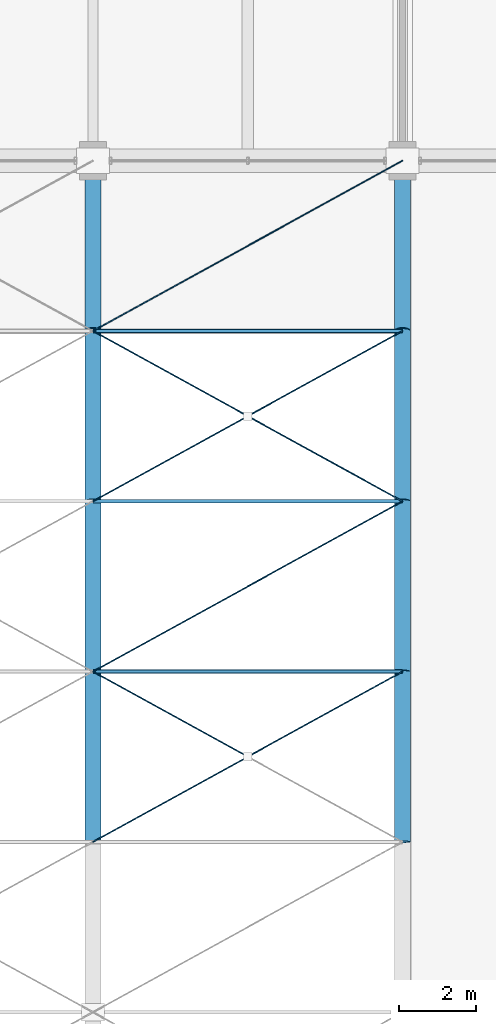
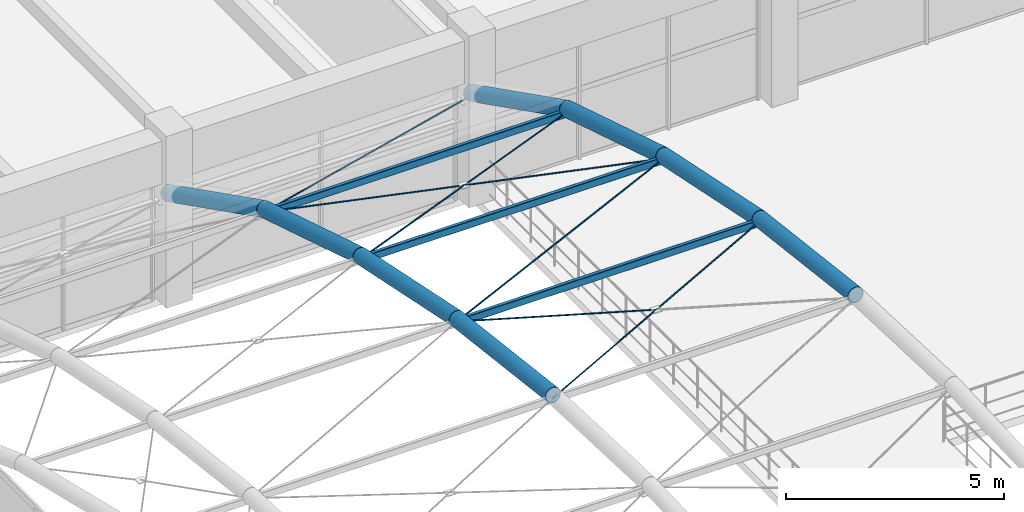
# One storey, part 33 of 144: 11 beams, 7 members.
"""IFC4 building model written with IfcOpenShell, lengths in metres."""

from ifc_helpers import new_model, si_unit, direction, frame, origin, origin_2d, place, context, subcontext, project, spatial, hollow_rectangle, circle, hollow_circle, extrude, material, material_profile, profile_set, type_object, element, save


model = new_model("IFC4")

# Units and contexts
model_context = context("Model", 3, precision=1e-05, world=origin(), true_north=direction((0.0, 1.0)))
body_context = subcontext(model_context, "Body", "Model", "MODEL_VIEW")
ifc_project = project(units=[si_unit("LENGTHUNIT", "METRE"), si_unit("AREAUNIT", "SQUARE_METRE"), si_unit("VOLUMEUNIT", "CUBIC_METRE"), si_unit("PLANEANGLEUNIT", "RADIAN"), si_unit("MASSUNIT", "GRAM", prefix="KILO")], contexts=[model_context])

# Site, building, storey
site_placement = place(None, origin())
site = spatial("IfcSite", under=ifc_project, at=site_placement, CompositionType="ELEMENT")
building_placement = place(site_placement, origin())
building = spatial("IfcBuilding", under=site, at=building_placement, Name="Varnabhumi Central Station", CompositionType="ELEMENT")
storey_placement = place(building_placement, frame((0.0, 0.0, 4.800048828125)))
storey = spatial("IfcBuildingStorey", under=building, at=storey_placement, Name="L01", CompositionType="ELEMENT", Elevation=4.800048828125)

# Beams
ifc_material_1 = material(Name="Structural steel E350", Category="steel")
ifc_material_profile_1 = material_profile(ifc_material_1, hollow_circle(Radius=0.203125, WallThickness=0.01611328125, at=origin_2d()), Name="Structural steel E350", Category="steel")
ifc_profile_set_1 = profile_set([ifc_material_profile_1], Name="Structural steel E350")
beam_type_1 = type_object("IfcBeamType", Name="BM-ARCH-CHS406", PredefinedType="BEAM", material=ifc_profile_set_1)
beam_1_placement = place(storey_placement, frame((16.0, 62.39990234375, 7.824462890625), z_axis=(0.0, 0.992737769305, -0.120298467967), x_axis=(-1.0, 0.0, 0.0)))
element("IfcBeam", 1, at=beam_1_placement, inside=storey, type_object=beam_type_1, Name="Forecourt Arrival Canopy Vault Arch Rib 3 Seg 7", PredefinedType="BEAM", context=body_context, shape_type="SweptSolid", body=[
    extrude(hollow_circle(Radius=0.203125, WallThickness=0.01611328125, at=origin_2d()), origin(), (0.0, 0.0, 1.0), 4.432373046875),
])
beam_2_placement = place(storey_placement, frame((16.0, 66.800048828125, 7.291259765625), z_axis=(0.0, 0.979095067091, -0.20340317008), x_axis=(-1.0, 0.0, 0.0)))
element("IfcBeam", 2, at=beam_2_placement, inside=storey, type_object=beam_type_1, Name="Forecourt Arrival Canopy Vault Arch Rib 3 Seg 8", PredefinedType="BEAM", context=body_context, shape_type="SweptSolid", body=[
    extrude(hollow_circle(Radius=0.203125, WallThickness=0.01611328125, at=origin_2d()), origin(), (0.0, 0.0, 1.0), 4.493896484375),
])
beam_3_placement = place(storey_placement, frame((16.0, 71.199951171875, 6.377197265625), z_axis=(0.0, 0.95520423062, -0.295947424057), x_axis=(-1.0, 0.0, 0.0)))
element("IfcBeam", 3, at=beam_3_placement, inside=storey, type_object=beam_type_1, Name="Forecourt Arrival Canopy Vault Arch Rib 3 Seg 9", PredefinedType="BEAM", context=body_context, shape_type="SweptSolid", body=[
    extrude(hollow_circle(Radius=0.203125, WallThickness=0.01611328125, at=origin_2d()), origin(), (0.0, 0.0, 1.0), 4.6064453125),
])
beam_4_placement = place(storey_placement, frame((16.0, 75.60009765625, 5.013916015625), z_axis=(0.0, 0.893294210393, -0.449472417037), x_axis=(-1.0, 0.0, 0.0)))
element("IfcBeam", 4, at=beam_4_placement, inside=storey, type_object=beam_type_1, Name="Forecourt Arrival Canopy Vault Arch Rib 3 Seg 10", PredefinedType="BEAM", context=body_context, shape_type="SweptSolid", body=[
    extrude(hollow_circle(Radius=0.203125, WallThickness=0.01611328125, at=origin_2d()), origin(), (0.0, 0.0, 1.0), 4.925537109375),
])
beam_5_placement = place(storey_placement, frame((24.0, 62.39990234375, 7.824462890625), z_axis=(0.0, 0.992737769305, -0.120298467967), x_axis=(-1.0, 0.0, 0.0)))
element("IfcBeam", 5, at=beam_5_placement, inside=storey, type_object=beam_type_1, Name="Forecourt Arrival Canopy Vault Arch Rib 4 Seg 7", PredefinedType="BEAM", context=body_context, shape_type="SweptSolid", body=[
    extrude(hollow_circle(Radius=0.203125, WallThickness=0.01611328125, at=origin_2d()), origin(), (0.0, 0.0, 1.0), 4.432373046875),
])
beam_6_placement = place(storey_placement, frame((24.0, 66.800048828125, 7.291259765625), z_axis=(0.0, 0.979095067091, -0.20340317008), x_axis=(-1.0, 0.0, 0.0)))
element("IfcBeam", 6, at=beam_6_placement, inside=storey, type_object=beam_type_1, Name="Forecourt Arrival Canopy Vault Arch Rib 4 Seg 8", PredefinedType="BEAM", context=body_context, shape_type="SweptSolid", body=[
    extrude(hollow_circle(Radius=0.203125, WallThickness=0.01611328125, at=origin_2d()), origin(), (0.0, 0.0, 1.0), 4.493896484375),
])
beam_7_placement = place(storey_placement, frame((24.0, 71.199951171875, 6.377197265625), z_axis=(0.0, 0.95520423062, -0.295947424057), x_axis=(-1.0, 0.0, 0.0)))
element("IfcBeam", 7, at=beam_7_placement, inside=storey, type_object=beam_type_1, Name="Forecourt Arrival Canopy Vault Arch Rib 4 Seg 9", PredefinedType="BEAM", context=body_context, shape_type="SweptSolid", body=[
    extrude(hollow_circle(Radius=0.203125, WallThickness=0.01611328125, at=origin_2d()), origin(), (0.0, 0.0, 1.0), 4.6064453125),
])
beam_8_placement = place(storey_placement, frame((24.0, 75.60009765625, 5.013916015625), z_axis=(0.0, 0.893294210393, -0.449472417037), x_axis=(-1.0, 0.0, 0.0)))
element("IfcBeam", 8, at=beam_8_placement, inside=storey, type_object=beam_type_1, Name="Forecourt Arrival Canopy Vault Arch Rib 4 Seg 10", PredefinedType="BEAM", context=body_context, shape_type="SweptSolid", body=[
    extrude(hollow_circle(Radius=0.203125, WallThickness=0.01611328125, at=origin_2d()), origin(), (0.0, 0.0, 1.0), 4.925537109375),
])
ifc_material_profile_2 = material_profile(ifc_material_1, hollow_rectangle(XDim=0.10009765625, YDim=0.199951171875, WallThickness=0.008056640625, InnerFilletRadius=0.008056640625, OuterFilletRadius=0.01611328125, at=origin_2d()), Name="Structural steel E350", Category="steel")
ifc_profile_set_2 = profile_set([ifc_material_profile_2], Name="Structural steel E350")
beam_type_2 = type_object("IfcBeamType", Name="BM-PUR-RHS200", PredefinedType="JOIST", material=ifc_profile_set_2)
for number, where, z_axis, x_axis, name in (
    (9, (16.0, 66.800048828125, 7.19140625), (1.0, 0.0, 0.0), (0.0, 1.0, 0.0), "Forecourt Arrival Canopy Vault Purlin B3-L7"),
    (10, (16.0, 71.199951171875, 6.27734375), (1.0, 0.0, 0.0), (0.0, 1.0, 0.0), "Forecourt Arrival Canopy Vault Purlin B3-L8"),
    (11, (16.0, 75.60009765625, 4.913818359375), (1.0, 0.0, 0.0), (0.0, 1.0, 0.0), "Forecourt Arrival Canopy Vault Purlin B3-L9"),
):
    element("IfcBeam", number, at=place(storey_placement, frame(where, z_axis=z_axis, x_axis=x_axis)), inside=storey, type_object=beam_type_2, Name=name, PredefinedType="JOIST", context=body_context, shape_type="SweptSolid", body=[
        extrude(hollow_rectangle(XDim=0.10009765625, YDim=0.199951171875, WallThickness=0.008056640625, InnerFilletRadius=0.008056640625, OuterFilletRadius=0.01611328125, at=origin_2d()), origin(), (0.0, 0.0, 1.0), 8.0),
    ])

# Members
ifc_material_2 = material(Name="Spiral-strand steel S1570", Category="steel")
ifc_material_profile_3 = material_profile(ifc_material_2, circle(Radius=0.013916015625, at=origin_2d()), Name="Spiral-strand steel S1570", Category="steel")
ifc_profile_set_3 = profile_set([ifc_material_profile_3], Name="Spiral-strand steel S1570")
member_type = type_object("IfcMemberType", Name="MBR-CABLE-D28", PredefinedType="USERDEFINED", material=ifc_profile_set_3)
member_1_placement = place(storey_placement, frame((16.0, 62.39990234375, 7.744384765625), z_axis=(0.874720140327, 0.481112093784, -0.0582737447), x_axis=(-0.481931067474, 0.876209133828, 0.0)))
element("IfcMember", 12, at=member_1_placement, inside=storey, type_object=member_type, Name="Forecourt Arrival Canopy Vault Cable-Net Tie B3-P7A", ObjectType="TENSION CABLE", PredefinedType="USERDEFINED", context=body_context, shape_type="SweptSolid", body=[
    extrude(circle(Radius=0.013916015625, at=origin_2d()), origin(), (0.0, 0.0, 1.0), 9.145751953125),
])
member_2_placement = place(storey_placement, frame((16.0, 66.800048828125, 7.21142578125), z_axis=(0.874732734676, -0.481092326182, 0.05824788901), x_axis=(0.481910537812, 0.876220425204, 0.0)))
element("IfcMember", 13, at=member_2_placement, inside=storey, type_object=member_type, Name="Forecourt Arrival Canopy Vault Cable-Net Split Tie B3-P7B1", ObjectType="TENSION CABLE", PredefinedType="USERDEFINED", context=body_context, shape_type="SweptSolid", body=[
    extrude(circle(Radius=0.013916015625, at=origin_2d()), origin(), (0.0, 0.0, 1.0), 4.57275390625),
])
member_3_placement = place(storey_placement, frame((16.0, 66.800048828125, 7.21142578125), z_axis=(0.871861974597, 0.479513443182, -0.099617042019), x_axis=(-0.481910537812, 0.876220425204, 0.0)))
element("IfcMember", 14, at=member_3_placement, inside=storey, type_object=member_type, Name="Forecourt Arrival Canopy Vault Cable-Net Tie B3-P8A", ObjectType="TENSION CABLE", PredefinedType="USERDEFINED", context=body_context, shape_type="SweptSolid", body=[
    extrude(circle(Radius=0.013916015625, at=origin_2d()), origin(), (0.0, 0.0, 1.0), 9.17578125),
])
member_4_placement = place(storey_placement, frame((16.0, 71.199951171875, 6.29736328125), z_axis=(0.866598577949, 0.476645085766, -0.147703645564), x_axis=(-0.481931067474, 0.876209133828, 0.0)))
element("IfcMember", 15, at=member_4_placement, inside=storey, type_object=member_type, Name="Forecourt Arrival Canopy Vault Cable-Net Tie B3-P9A", ObjectType="TENSION CABLE", PredefinedType="USERDEFINED", context=body_context, shape_type="SweptSolid", body=[
    extrude(circle(Radius=0.013916015625, at=origin_2d()), origin(), (0.0, 0.0, 1.0), 9.2314453125),
])
for number, where, z_axis, x_axis, name in (
    (16, (16.0, 75.60009765625, 4.933837890625), (0.8665910386, -0.476667385245, 0.147675914293), (0.481951596342, 0.876197842262, 0.0), "Forecourt Arrival Canopy Vault Cable-Net Split Tie B3-P9B1"),
    (17, (20.0, 73.39990234375, 5.615478515625), (0.866606116282, -0.476622785267, 0.147731377123), (0.481910537812, 0.876220425204, 0.0), "Forecourt Arrival Canopy Vault Cable-Net Split Tie B3-P9B2"),
):
    element("IfcMember", number, at=place(storey_placement, frame(where, z_axis=z_axis, x_axis=x_axis)), inside=storey, type_object=member_type, Name=name, ObjectType="TENSION CABLE", PredefinedType="USERDEFINED", context=body_context, shape_type="SweptSolid", body=[
        extrude(circle(Radius=0.013916015625, at=origin_2d()), origin(), (0.0, 0.0, 1.0), 4.61572265625),
    ])
member_5_placement = place(storey_placement, frame((16.0, 75.60009765625, 4.933837890625), z_axis=(0.851544146337, 0.468338885659, -0.235650705535), x_axis=(-0.481910537812, 0.876220425204, 0.0)))
element("IfcMember", 18, at=member_5_placement, inside=storey, type_object=member_type, Name="Forecourt Arrival Canopy Vault Cable-Net Tie B3-P10A", ObjectType="TENSION CABLE", PredefinedType="USERDEFINED", context=body_context, shape_type="SweptSolid", body=[
    extrude(circle(Radius=0.013916015625, at=origin_2d()), origin(), (0.0, 0.0, 1.0), 9.394775390625),
])

save(model, "model.ifc")
